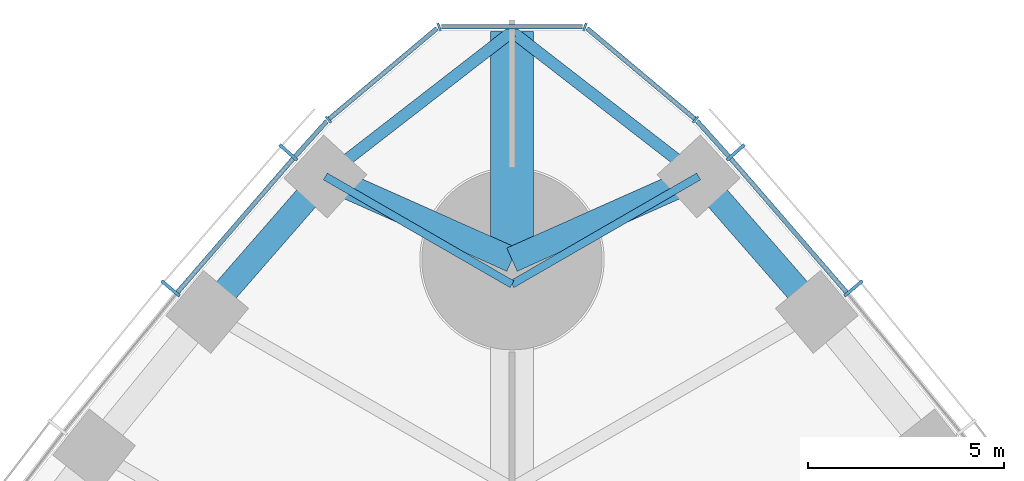
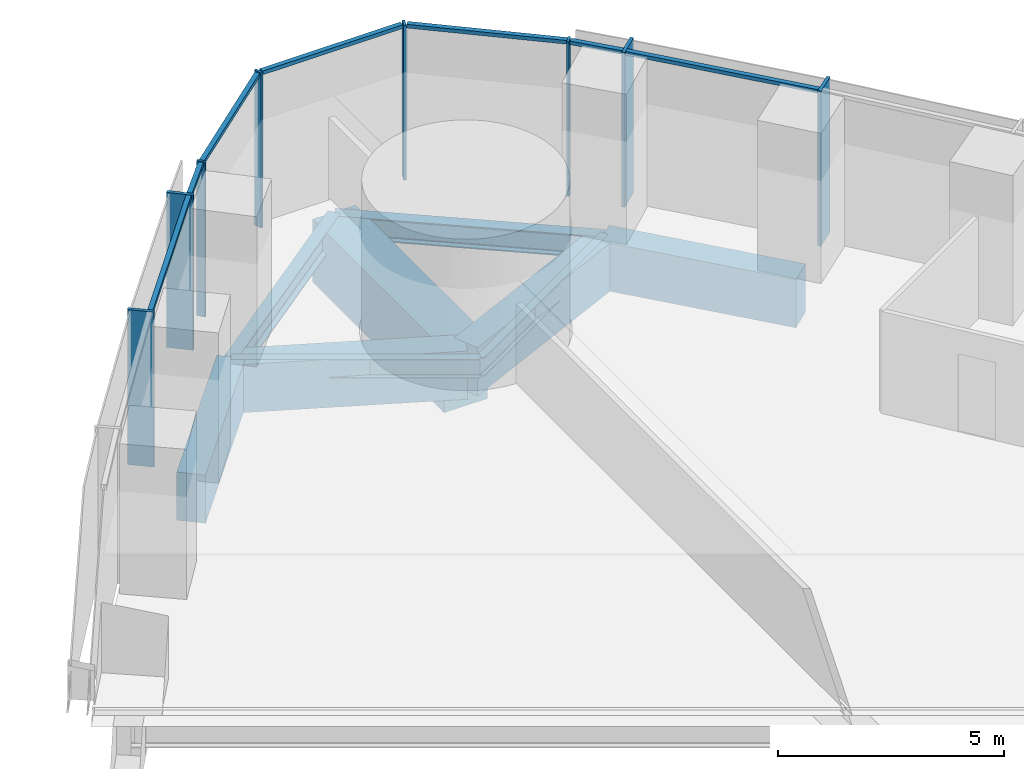
# One storey, part 7 of 18: 15 members, 9 beams, 3 elements without a shape of their own.
"""IFC4 building model written with IfcOpenShell, lengths in metres."""

import ifcopenshell
import ifcopenshell.guid

model = None  # the IFC model being written
_history = None  # IfcOwnerHistory: only IFC2X3 demands one
_inside = {}  # id of a spatial element -> (the spatial element, [elements in it])
_under = {}  # id of a project, library or spatial element -> (it, [spatial elements below it])
_declared = {}  # id of a project -> (the project, [libraries it declares])
_typed = {}  # id of a type object -> (the type object, [elements of that type])
_made_of = {}  # id of a material, layer set ... -> (it, [elements and type objects made of it])


def new_model(schema):
    """Start an empty IFC model of exactly this schema.

    Asked for "IFC4X3", IfcOpenShell would pick the latest addendum, in which some entities
    have other attributes; the version numbers below select the first issue.
    IFC2X3 requires an IfcOwnerHistory on every rooted entity: one is made here for all.
    """
    global model, _history
    if schema == "IFC4X3":
        model = ifcopenshell.file(schema_version=(4, 3, 0, 0))
    else:
        model = ifcopenshell.file(schema=schema)
    _inside.clear()
    _under.clear()
    _declared.clear()
    _typed.clear()
    _made_of.clear()
    _history = None
    if model.schema == "IFC2X3":
        org = make("IfcOrganization", Name="unknown")
        user = make(
            "IfcPersonAndOrganization",
            ThePerson=make("IfcPerson", FamilyName="unknown"),
            TheOrganization=org,
        )
        app = make(
            "IfcApplication",
            ApplicationDeveloper=org,
            Version="unknown",
            ApplicationFullName="unknown",
            ApplicationIdentifier="unknown",
        )
        _history = make(
            "IfcOwnerHistory",
            OwningUser=user,
            OwningApplication=app,
            ChangeAction="ADDED",
            CreationDate=0,
        )
    return model


def make(cls, **values):
    """One entity of the class cls with the attributes given. An attribute that is None is left unset."""
    return model.create_entity(
        cls, **{name: value for name, value in values.items() if value is not None}
    )


def rooted(cls, **values):
    """An entity with a GlobalId (a new one), such as an element, a storey or a relation."""
    return make(cls, GlobalId=ifcopenshell.guid.new(), OwnerHistory=_history, **values)


def si_unit(unit_type, name, prefix=None):
    """IfcSIUnit, for example si_unit("LENGTHUNIT", "METRE", prefix="MILLI")."""
    return make("IfcSIUnit", UnitType=unit_type, Prefix=prefix, Name=name)


def assignment(units):
    """IfcUnitAssignment: the units of a project."""
    return None if units is None else make("IfcUnitAssignment", Units=units)


def point(xyz):
    """IfcCartesianPoint."""
    return None if xyz is None else make("IfcCartesianPoint", Coordinates=xyz)


def direction(xyz):
    """IfcDirection."""
    return None if xyz is None else make("IfcDirection", DirectionRatios=xyz)


def frame(location, z_axis=None, x_axis=None):
    """IfcAxis2Placement3D, a coordinate frame: its origin and axes. An axis left out is left unset."""
    return make(
        "IfcAxis2Placement3D",
        Location=point(location),
        Axis=direction(z_axis),
        RefDirection=direction(x_axis),
    )


def frame_2d(location, x_axis=None):
    """IfcAxis2Placement2D, a coordinate frame in the plane: its origin and x axis."""
    return make(
        "IfcAxis2Placement2D", Location=point(location), RefDirection=direction(x_axis)
    )


def origin():
    """The frame at (0, 0, 0) with its axes left unset."""
    return frame((0.0, 0.0, 0.0))


def origin_2d():
    """The frame at (0, 0) in the plane with its x axis left unset."""
    return frame_2d((0.0, 0.0))


def place(relative_to, where):
    """IfcLocalPlacement: puts the frame where relative to a parent placement (None: the world)."""
    return make(
        "IfcLocalPlacement", PlacementRelTo=relative_to, RelativePlacement=where
    )


def context(
    kind, dimensions, precision=None, world=None, true_north=None, identifier=None
):
    """IfcGeometricRepresentationContext, for example the 3D "Model" context."""
    return make(
        "IfcGeometricRepresentationContext",
        ContextIdentifier=identifier,
        ContextType=kind,
        CoordinateSpaceDimension=dimensions,
        Precision=precision,
        WorldCoordinateSystem=world,
        TrueNorth=true_north,
    )


def subcontext(parent, identifier, kind, view, scale=None):
    """IfcGeometricRepresentationSubContext, for example "Body" below "Model"."""
    return make(
        "IfcGeometricRepresentationSubContext",
        ContextIdentifier=identifier,
        ContextType=kind,
        ParentContext=parent,
        TargetScale=scale,
        TargetView=view,
    )


def project(units=None, contexts=None):
    """IfcProject with its units and contexts."""
    return rooted(
        "IfcProject",
        Name="project",
        RepresentationContexts=contexts,
        UnitsInContext=assignment(units),
    )


def spatial(cls, under=None, at=None, **own):
    """A site, building, storey or space (cls), placed at a placement, below another one or the project."""
    s = rooted(cls, ObjectPlacement=at, **own)
    if under is not None:
        _under.setdefault(under.id(), (under, []))[1].append(s)
    return s


def profile(cls, at=None, kind="AREA", **sizes):
    """A parametric profile (cls). Its sizes go by their IFC names, for example OverallWidth=200.0."""
    return make(cls, ProfileType=kind, Position=at, **sizes)


def rectangle(**sizes):
    """IfcRectangleProfileDef."""
    return profile("IfcRectangleProfileDef", **sizes)


def i_section(**sizes):
    """IfcIShapeProfileDef."""
    return profile("IfcIShapeProfileDef", **sizes)


def extrude(swept, where, along, depth):
    """IfcExtrudedAreaSolid: the profile swept, set in the frame where, extruded along a direction by depth."""
    return make(
        "IfcExtrudedAreaSolid",
        SweptArea=swept,
        Position=where,
        ExtrudedDirection=direction(along),
        Depth=depth,
    )


def shape(context_of_items, identifier, shape_type, items):
    """IfcShapeRepresentation: the items that make up one representation, for example the "Body"."""
    return make(
        "IfcShapeRepresentation",
        ContextOfItems=context_of_items,
        RepresentationIdentifier=identifier,
        RepresentationType=shape_type,
        Items=items,
    )


def material(Name=None, Category=None):
    """IfcMaterial."""
    return make("IfcMaterial", Name=Name, Category=Category)


def material_profile(
    of_material, cross_section, Name=None, Category=None, Priority=None
):
    """IfcMaterialProfile: a cross section and its material."""
    return make(
        "IfcMaterialProfile",
        Name=Name,
        Material=of_material,
        Profile=cross_section,
        Priority=Priority,
        Category=Category,
    )


def profile_set(profiles, Name=None, composite=None):
    """IfcMaterialProfileSet."""
    return make(
        "IfcMaterialProfileSet",
        Name=Name,
        MaterialProfiles=profiles,
        CompositeProfile=composite,
    )


def made_of(thing, what):
    """Note that an element or type object is made of a material, layer set ...; save() writes the relation."""
    if what is not None:
        _made_of.setdefault(what.id(), (what, []))[1].append(thing)
    return thing


def type_object(cls, material=None, **own):
    """A type object (cls), such as IfcWallType, which elements share."""
    return made_of(rooted(cls, **own), material)


def element(
    cls,
    number,
    at=None,
    inside=None,
    cuts=None,
    type_object=None,
    material=None,
    context=None,
    identifier="Body",
    shape_type=None,
    held_by="IfcProductDefinitionShape",
    body=None,
    shapes=None,
    **own,
):
    """One element of the class cls, such as IfcWall. Its Tag is "e" and its number.

    at: its placement. inside: the storey or other place that contains it. cuts: it is an
    opening in that element (IfcRelVoidsElement). A single representation is given by context,
    identifier, shape_type and body (its items); several are given by shapes. held_by: the class
    of the entity that holds the representations. save() writes the other relations.
    """
    e = rooted(cls, Tag="e%d" % number, ObjectPlacement=at, **own)
    if body is not None:
        shapes = [shape(context, identifier, shape_type, body)]
    if shapes is not None:
        e.Representation = make(held_by, Representations=shapes)
    if inside is not None:
        _inside.setdefault(inside.id(), (inside, []))[1].append(e)
    if cuts is not None:
        rooted(
            "IfcRelVoidsElement", RelatingBuildingElement=cuts, RelatedOpeningElement=e
        )
    if type_object is not None:
        _typed.setdefault(type_object.id(), (type_object, []))[1].append(e)
    return made_of(e, material)


def aggregate(whole, parts):
    """IfcRelAggregates: a whole, such as a stair, and the parts it consists of."""
    return rooted("IfcRelAggregates", RelatingObject=whole, RelatedObjects=parts)


def save(model, path):
    """Write the relations noted so far, then the file.

    IfcRelAggregates (storeys below a building ...), IfcRelContainedInSpatialStructure (elements
    in a storey), IfcRelDefinesByType, IfcRelAssociatesMaterial and IfcRelDeclares: one each for
    every whole, place, type object, material and project.
    """
    for whole, parts in _under.values():
        aggregate(whole, parts)
    for where, things in _inside.values():
        rooted(
            "IfcRelContainedInSpatialStructure",
            RelatedElements=things,
            RelatingStructure=where,
        )
    for kind, things in _typed.values():
        rooted("IfcRelDefinesByType", RelatedObjects=things, RelatingType=kind)
    for what, things in _made_of.values():
        rooted("IfcRelAssociatesMaterial", RelatedObjects=things, RelatingMaterial=what)
    for by, libraries in _declared.values():
        rooted("IfcRelDeclares", RelatingContext=by, RelatedDefinitions=libraries)
    model.write(path)


model = new_model("IFC4")

# Units and contexts
model_context = context("Model", 3, precision=1e-05, world=origin(), true_north=direction((0.0, 1.0)))
body_context = subcontext(model_context, "Body", "Model", "MODEL_VIEW")
ifc_project = project(units=[si_unit("LENGTHUNIT", "METRE"), si_unit("AREAUNIT", "SQUARE_METRE"), si_unit("VOLUMEUNIT", "CUBIC_METRE"), si_unit("PLANEANGLEUNIT", "RADIAN"), si_unit("MASSUNIT", "GRAM", prefix="KILO")], contexts=[model_context])

# Site, building, storey
site_placement = place(None, origin())
site = spatial("IfcSite", under=ifc_project, at=site_placement, CompositionType="ELEMENT")
building_placement = place(site_placement, origin())
building = spatial("IfcBuilding", under=site, at=building_placement, Name="Trefoil Bronze Tower", CompositionType="ELEMENT")
storey_placement = place(building_placement, frame((0.0, 0.0, 33.300048828125)))
storey = spatial("IfcBuildingStorey", under=building, at=storey_placement, Name="L07", CompositionType="ELEMENT", Elevation=33.300048828125)

# Curtain wall, members
ifc_material_1 = material(Name="Tinted solar-control glass", Category="glass")
curtain_wall_type_1 = type_object("IfcCurtainWallType", Name="Bronze office curtain wall", PredefinedType="USERDEFINED", material=ifc_material_1)
curtain_wall_1_placement = place(storey_placement, origin())
curtain_wall_1 = element("IfcCurtainWall", 1, at=curtain_wall_1_placement, inside=storey, type_object=curtain_wall_type_1, Name="CW-A L07 F2", ObjectType="CURTAIN WALL", PredefinedType="USERDEFINED")
ifc_material_2 = material(Name="Bronze-finish aluminium", Category="aluminium")
ifc_material_profile_1 = material_profile(ifc_material_2, rectangle(XDim=0.60009765625, YDim=0.080078125, at=origin_2d()), Name="CW-A mullion")
ifc_profile_set_1 = profile_set([ifc_material_profile_1], Name="Bronze-finish aluminium")
member_type_1 = type_object("IfcMemberType", Name="Bronze office curtain wall mullion", PredefinedType="MULLION", material=ifc_profile_set_1)
member_1_placement = place(storey_placement, frame((8.709716796875, 36.265869140625, 0.0), z_axis=(0.0, 0.0, 1.0), x_axis=(-0.765729101889, -0.643163231629, 0.0)))
member_1 = element("IfcMember", 2, at=member_1_placement, type_object=member_type_1, Name="CW-A L07 F2 mullion 15", PredefinedType="MULLION", context=body_context, shape_type="SweptSolid", body=[
    extrude(rectangle(XDim=0.60009765625, YDim=0.080078125, at=origin_2d()), origin(), (0.0, 0.0, 1.0), 4.179931640625),
])
member_2_placement = place(storey_placement, frame((5.70654296875, 39.736328125, 0.0), z_axis=(0.0, 0.0, 1.0), x_axis=(-0.7499405861, -0.661505190698, 0.0)))
member_2 = element("IfcMember", 3, at=member_2_placement, type_object=member_type_1, Name="CW-A L07 F2 mullion 16", PredefinedType="MULLION", context=body_context, shape_type="SweptSolid", body=[
    extrude(rectangle(XDim=0.60009765625, YDim=0.080078125, at=origin_2d()), origin(), (0.0, 0.0, 1.0), 4.179931640625),
])

curtain_wall_2_placement = place(storey_placement, origin())
curtain_wall_2 = element("IfcCurtainWall", 4, at=curtain_wall_2_placement, inside=storey, type_object=curtain_wall_type_1, Name="CW-A L07 F3", ObjectType="CURTAIN WALL", PredefinedType="USERDEFINED")
member_3_placement = place(storey_placement, frame((-5.70654296875, 39.736328125, 0.0), z_axis=(0.0, 0.0, 1.0), x_axis=(0.7499405861, -0.661505190698, 0.0)))
member_3 = element("IfcMember", 5, at=member_3_placement, type_object=member_type_1, Name="CW-A L07 F3 mullion 2", PredefinedType="MULLION", context=body_context, shape_type="SweptSolid", body=[
    extrude(rectangle(XDim=0.60009765625, YDim=0.080078125, at=origin_2d()), origin(), (0.0, 0.0, 1.0), 4.179931640625),
])
member_4_placement = place(storey_placement, frame((-8.709716796875, 36.265869140625, 0.0), z_axis=(0.0, 0.0, 1.0), x_axis=(0.765729101889, -0.643163231629, 0.0)))
member_4 = element("IfcMember", 6, at=member_4_placement, type_object=member_type_1, Name="CW-A L07 F3 mullion 3", PredefinedType="MULLION", context=body_context, shape_type="SweptSolid", body=[
    extrude(rectangle(XDim=0.60009765625, YDim=0.080078125, at=origin_2d()), origin(), (0.0, 0.0, 1.0), 4.179931640625),
])

# Member
ifc_material_3 = material(Name="Bronze-finish aluminium", Category="aluminium")
ifc_material_profile_2 = material_profile(ifc_material_3, rectangle(XDim=0.1201171875, YDim=0.10009765625, at=origin_2d()), Name="CW-A transom")
ifc_profile_set_2 = profile_set([ifc_material_profile_2], Name="Bronze-finish aluminium")
member_type_2 = type_object("IfcMemberType", Name="Bronze office curtain wall transom", PredefinedType="USERDEFINED", material=ifc_profile_set_2)
member_5_placement = place(storey_placement, frame((8.529541015625, 36.16845703125, 4.1298828125), z_axis=(-0.654383303203, 0.75616300656, 0.0), x_axis=(-0.75616300656, -0.654383303203, 0.0)))
member_5 = element("IfcMember", 7, at=member_5_placement, type_object=member_type_2, Name="CW-A L07 F2 transom 15", ObjectType="TRANSOM", PredefinedType="USERDEFINED", context=body_context, shape_type="SweptSolid", body=[
    extrude(rectangle(XDim=0.1201171875, YDim=0.10009765625, at=origin_2d()), origin(), (0.0, 0.0, 1.0), 4.50244140625),
])

member_6_placement = place(storey_placement, frame((5.529052734375, 39.634521484375, 4.1298828125), z_axis=(-0.66858567461, 0.743635122695, 0.0), x_axis=(-0.743635122695, -0.66858567461, 0.0)))
member_6 = element("IfcMember", 8, at=member_6_placement, type_object=member_type_2, Name="CW-A L07 F2 transom 16", ObjectType="TRANSOM", PredefinedType="USERDEFINED", context=body_context, shape_type="SweptSolid", body=[
    extrude(rectangle(XDim=0.1201171875, YDim=0.10009765625, at=origin_2d()), origin(), (0.0, 0.0, 1.0), 1.210205078125),
])

aggregate(curtain_wall_1, [member_1, member_2, member_5, member_6])

member_7_placement = place(storey_placement, frame((-4.719970703125, 40.534423828125, 4.1298828125), z_axis=(-0.66858567461, -0.743635122695, 0.0), x_axis=(0.743635122695, -0.66858567461, 0.0)))
member_7 = element("IfcMember", 9, at=member_7_placement, type_object=member_type_2, Name="CW-A L07 F3 transom 1", ObjectType="TRANSOM", PredefinedType="USERDEFINED", context=body_context, shape_type="SweptSolid", body=[
    extrude(rectangle(XDim=0.1201171875, YDim=0.10009765625, at=origin_2d()), origin(), (0.0, 0.0, 1.0), 1.210205078125),
])

member_8_placement = place(storey_placement, frame((-5.583251953125, 39.572998046875, 4.1298828125), z_axis=(-0.654383303203, -0.75616300656, 0.0), x_axis=(0.75616300656, -0.654383303203, 0.0)))
member_8 = element("IfcMember", 10, at=member_8_placement, type_object=member_type_2, Name="CW-A L07 F3 transom 2", ObjectType="TRANSOM", PredefinedType="USERDEFINED", context=body_context, shape_type="SweptSolid", body=[
    extrude(rectangle(XDim=0.1201171875, YDim=0.10009765625, at=origin_2d()), origin(), (0.0, 0.0, 1.0), 4.50244140625),
])

aggregate(curtain_wall_2, [member_3, member_4, member_7, member_8])

# Curtain wall, members
ifc_material_4 = material(Name="Tinted solar-control glass", Category="glass")
curtain_wall_type_2 = type_object("IfcCurtainWallType", Name="Bronze rounded corner curtain wall", PredefinedType="USERDEFINED", material=ifc_material_4)
curtain_wall_3_placement = place(storey_placement, origin())
curtain_wall_3 = element("IfcCurtainWall", 11, at=curtain_wall_3_placement, inside=storey, type_object=curtain_wall_type_2, Name="CW-B L07 K2", ObjectType="CURTAIN WALL", PredefinedType="USERDEFINED")
ifc_material_5 = material(Name="Bronze-finish aluminium", Category="aluminium")
ifc_material_profile_3 = material_profile(ifc_material_5, rectangle(XDim=0.199951171875, YDim=0.06005859375, at=origin_2d()), Name="CW-B mullion")
ifc_profile_set_3 = profile_set([ifc_material_profile_3], Name="Bronze-finish aluminium")
member_type_3 = type_object("IfcMemberType", Name="Bronze rounded corner curtain wall mullion", PredefinedType="MULLION", material=ifc_profile_set_3)
member_9_placement = place(storey_placement, frame((4.68310546875, 40.573974609375, 0.0), z_axis=(0.0, 0.0, 1.0), x_axis=(-0.642787609687, -0.766044443119, 0.0)))
member_9 = element("IfcMember", 12, at=member_9_placement, type_object=member_type_3, Name="CW-B L07 K2 mullion 1", PredefinedType="MULLION", context=body_context, shape_type="SweptSolid", body=[
    extrude(rectangle(XDim=0.199951171875, YDim=0.06005859375, at=origin_2d()), origin(), (0.0, 0.0, 1.0), 4.179931640625),
])
member_10_placement = place(storey_placement, frame((1.8583984375, 42.9365234375, 0.0), z_axis=(0.0, 0.0, 1.0), x_axis=(-0.342020143326, -0.939692620786, 0.0)))
member_10 = element("IfcMember", 13, at=member_10_placement, type_object=member_type_3, Name="CW-B L07 K2 mullion 2", PredefinedType="MULLION", context=body_context, shape_type="SweptSolid", body=[
    extrude(rectangle(XDim=0.199951171875, YDim=0.06005859375, at=origin_2d()), origin(), (0.0, 0.0, 1.0), 4.179931640625),
])
member_11_placement = place(storey_placement, frame((-1.8583984375, 42.9365234375, 0.0), z_axis=(0.0, 0.0, 1.0), x_axis=(0.342020143326, -0.939692620786, 0.0)))
member_11 = element("IfcMember", 14, at=member_11_placement, type_object=member_type_3, Name="CW-B L07 K2 mullion 3", PredefinedType="MULLION", context=body_context, shape_type="SweptSolid", body=[
    extrude(rectangle(XDim=0.199951171875, YDim=0.06005859375, at=origin_2d()), origin(), (0.0, 0.0, 1.0), 4.179931640625),
])
member_12_placement = place(storey_placement, frame((-4.68310546875, 40.573974609375, 0.0), z_axis=(0.0, 0.0, 1.0), x_axis=(0.642787609687, -0.766044443119, 0.0)))
member_12 = element("IfcMember", 15, at=member_12_placement, type_object=member_type_3, Name="CW-B L07 K2 mullion 4", PredefinedType="MULLION", context=body_context, shape_type="SweptSolid", body=[
    extrude(rectangle(XDim=0.199951171875, YDim=0.06005859375, at=origin_2d()), origin(), (0.0, 0.0, 1.0), 4.179931640625),
])
ifc_material_6 = material(Name="Bronze-finish aluminium", Category="aluminium")
ifc_material_profile_4 = material_profile(ifc_material_6, rectangle(XDim=0.1201171875, YDim=0.10009765625, at=origin_2d()), Name="CW-B transom")
ifc_profile_set_4 = profile_set([ifc_material_profile_4], Name="Bronze-finish aluminium")
member_type_4 = type_object("IfcMemberType", Name="Bronze rounded corner curtain wall transom", PredefinedType="USERDEFINED", material=ifc_profile_set_4)
member_13_placement = place(storey_placement, frame((4.66015625, 40.59326171875, 4.1298828125), z_axis=(-0.766058606238, 0.642770730361, 0.0), x_axis=(-0.642770730361, -0.766058606238, 0.0)))
member_13 = element("IfcMember", 16, at=member_13_placement, type_object=member_type_4, Name="CW-B L07 K2 transom 1", ObjectType="TRANSOM", PredefinedType="USERDEFINED", context=body_context, shape_type="SweptSolid", body=[
    extrude(rectangle(XDim=0.1201171875, YDim=0.10009765625, at=origin_2d()), origin(), (0.0, 0.0, 1.0), 3.588134765625),
])
member_14_placement = place(storey_placement, frame((1.794189453125, 42.9423828125, 4.1298828125), z_axis=(-1.0, 0.0, 0.0), x_axis=(0.0, -1.0, 0.0)))
member_14 = element("IfcMember", 17, at=member_14_placement, type_object=member_type_4, Name="CW-B L07 K2 transom 2", ObjectType="TRANSOM", PredefinedType="USERDEFINED", context=body_context, shape_type="SweptSolid", body=[
    extrude(rectangle(XDim=0.1201171875, YDim=0.10009765625, at=origin_2d()), origin(), (0.0, 0.0, 1.0), 3.58837890625),
])
member_15_placement = place(storey_placement, frame((-1.911376953125, 42.899658203125, 4.1298828125), z_axis=(-0.766058606238, -0.642770730361, 0.0), x_axis=(0.642770730361, -0.766058606238, 0.0)))
member_15 = element("IfcMember", 18, at=member_15_placement, type_object=member_type_4, Name="CW-B L07 K2 transom 3", ObjectType="TRANSOM", PredefinedType="USERDEFINED", context=body_context, shape_type="SweptSolid", body=[
    extrude(rectangle(XDim=0.1201171875, YDim=0.10009765625, at=origin_2d()), origin(), (0.0, 0.0, 1.0), 3.588134765625),
])
aggregate(curtain_wall_3, [member_9, member_10, member_11, member_12, member_13, member_14, member_15])

# Beams
ifc_material_7 = material(Name="Concrete B80", Category="concrete")
ifc_material_profile_5 = material_profile(ifc_material_7, rectangle(XDim=1.10009765625, YDim=1.699951171875, at=origin_2d()), Name="RC 1100x1700")
ifc_profile_set_5 = profile_set([ifc_material_profile_5], Name="Concrete B80")
beam_type_1 = type_object("IfcBeamType", Name="Corner cantilever RC 1100x1700", PredefinedType="BEAM", material=ifc_profile_set_5)
beam_placement = place(storey_placement, frame((0.0, 37.0, -1.050048828125), z_axis=(0.0, 1.0, 0.0), x_axis=(-1.0, 0.0, 0.0)))
element("IfcBeam", 19, at=beam_placement, inside=storey, type_object=beam_type_1, Name="Corner cantilever K2 L07", PredefinedType="BEAM", context=body_context, shape_type="SweptSolid", body=[
    extrude(rectangle(XDim=1.10009765625, YDim=1.699951171875, at=origin_2d()), origin(), (0.0, 0.0, 1.0), 5.814208984375),
])
ifc_material_8 = material(Name="Steel C355", Category="steel")
ifc_material_profile_6 = material_profile(ifc_material_8, i_section(OverallWidth=0.300048828125, OverallDepth=0.60009765625, WebThickness=0.015380859375, FlangeThickness=0.030029296875, FilletRadius=0.027099609375, at=origin_2d()), Name="HEB 600")
ifc_profile_set_6 = profile_set([ifc_material_profile_6], Name="Steel C355")
beam_type_2 = type_object("IfcBeamType", Name="Corner edge beam HEB 600", PredefinedType="BEAM", material=ifc_profile_set_6)
for number, where, z_axis, x_axis, name in (
    (20, (4.76171875, 39.122314453125, -0.5), (-0.790289474622, 0.612733666696, 0.0), (-0.612733666696, -0.790289474622, 0.0), "Corner edge beam F2A L07"),
    (21, (-4.76171875, 39.122314453125, -0.5), (0.790289474622, 0.612733666696, 0.0), (-0.612733666696, 0.790289474622, 0.0), "Corner edge beam F3B L07"),
):
    element("IfcBeam", number, at=place(storey_placement, frame(where, z_axis=z_axis, x_axis=x_axis)), inside=storey, type_object=beam_type_2, Name=name, PredefinedType="BEAM", context=body_context, shape_type="SweptSolid", body=[
        extrude(i_section(OverallWidth=0.300048828125, OverallDepth=0.60009765625, WebThickness=0.015380859375, FlangeThickness=0.030029296875, FilletRadius=0.027099609375, at=origin_2d()), origin(), (0.0, 0.0, 1.0), 6.025390625),
    ])
ifc_material_9 = material(Name="Concrete B80", Category="concrete")
ifc_material_profile_7 = material_profile(ifc_material_9, rectangle(XDim=0.64990234375, YDim=1.300048828125, at=origin_2d()), Name="RC 650x1300")
ifc_profile_set_7 = profile_set([ifc_material_profile_7], Name="Concrete B80")
beam_type_3 = type_object("IfcBeamType", Name="End spandrel beam RC 650x1300", PredefinedType="SPANDREL", material=ifc_profile_set_7)
for number, where, z_axis, x_axis, name in (
    (22, (4.76171875, 39.122314453125, -0.85009765625), (-0.913384257879, -0.407098510754, 0.0), (0.407098510754, -0.913384257879, 0.0), "Spandrel F2.16 L07"),
    (23, (0.0, 37.0, -0.85009765625), (-0.913384257879, 0.407098510754, 0.0), (-0.407098510754, -0.913384257879, 0.0), "Spandrel F3.1 L07"),
):
    element("IfcBeam", number, at=place(storey_placement, frame(where, z_axis=z_axis, x_axis=x_axis)), inside=storey, type_object=beam_type_3, Name=name, PredefinedType="SPANDREL", context=body_context, shape_type="SweptSolid", body=[
        extrude(rectangle(XDim=0.64990234375, YDim=1.300048828125, at=origin_2d()), origin(), (0.0, 0.0, 1.0), 5.21337890625),
    ])
ifc_material_10 = material(Name="Steel C355", Category="steel")
ifc_material_profile_8 = material_profile(ifc_material_10, i_section(OverallWidth=0.199951171875, OverallDepth=0.5, WebThickness=0.01025390625, FlangeThickness=0.01611328125, FilletRadius=0.02099609375, at=origin_2d()), Name="IPE 500")
ifc_profile_set_8 = profile_set([ifc_material_profile_8], Name="Steel C355")
beam_type_4 = type_object("IfcBeamType", Name="Floor beam IPE 500", PredefinedType="BEAM", material=ifc_profile_set_8)
for number, where, z_axis, x_axis, name in (
    (24, (4.76171875, 39.122314453125, -0.449951171875), (-0.866018475376, -0.500012000164, 0.0), (0.500012000164, -0.866018475376, 0.0), "Floor beam F2/+7 L07"),
    (25, (-4.76171875, 39.122314453125, -0.449951171875), (0.866018475376, -0.500012000164, 0.0), (0.500012000164, 0.866018475376, 0.0), "Floor beam F3/-7 L07"),
):
    element("IfcBeam", number, at=place(storey_placement, frame(where, z_axis=z_axis, x_axis=x_axis)), inside=storey, type_object=beam_type_4, Name=name, PredefinedType="BEAM", context=body_context, shape_type="SweptSolid", body=[
        extrude(i_section(OverallWidth=0.199951171875, OverallDepth=0.5, WebThickness=0.01025390625, FlangeThickness=0.01611328125, FilletRadius=0.02099609375, at=origin_2d()), origin(), (0.0, 0.0, 1.0), 5.498291015625),
    ])
ifc_material_11 = material(Name="Concrete B80", Category="concrete")
ifc_material_profile_9 = material_profile(ifc_material_11, rectangle(XDim=0.64990234375, YDim=1.300048828125, at=origin_2d()), Name="RC 650x1300")
ifc_profile_set_9 = profile_set([ifc_material_profile_9], Name="Concrete B80")
beam_type_5 = type_object("IfcBeamType", Name="Spandrel beam RC 650x1300", PredefinedType="SPANDREL", material=ifc_profile_set_9)
for number, where, z_axis, x_axis, name in (
    (26, (7.7763671875, 35.666748046875, -0.85009765625), (-0.657395767989, 0.753545489158, 0.0), (-0.753545489158, -0.657395767989, 0.0), "Spandrel F2.15 L07"),
    (27, (-4.76171875, 39.122314453125, -0.85009765625), (-0.657395767989, -0.753545489158, 0.0), (0.753545489158, -0.657395767989, 0.0), "Spandrel F3.2 L07"),
):
    element("IfcBeam", number, at=place(storey_placement, frame(where, z_axis=z_axis, x_axis=x_axis)), inside=storey, type_object=beam_type_5, Name=name, PredefinedType="SPANDREL", context=body_context, shape_type="SweptSolid", body=[
        extrude(rectangle(XDim=0.64990234375, YDim=1.300048828125, at=origin_2d()), origin(), (0.0, 0.0, 1.0), 4.585693359375),
    ])

save(model, "model.ifc")
